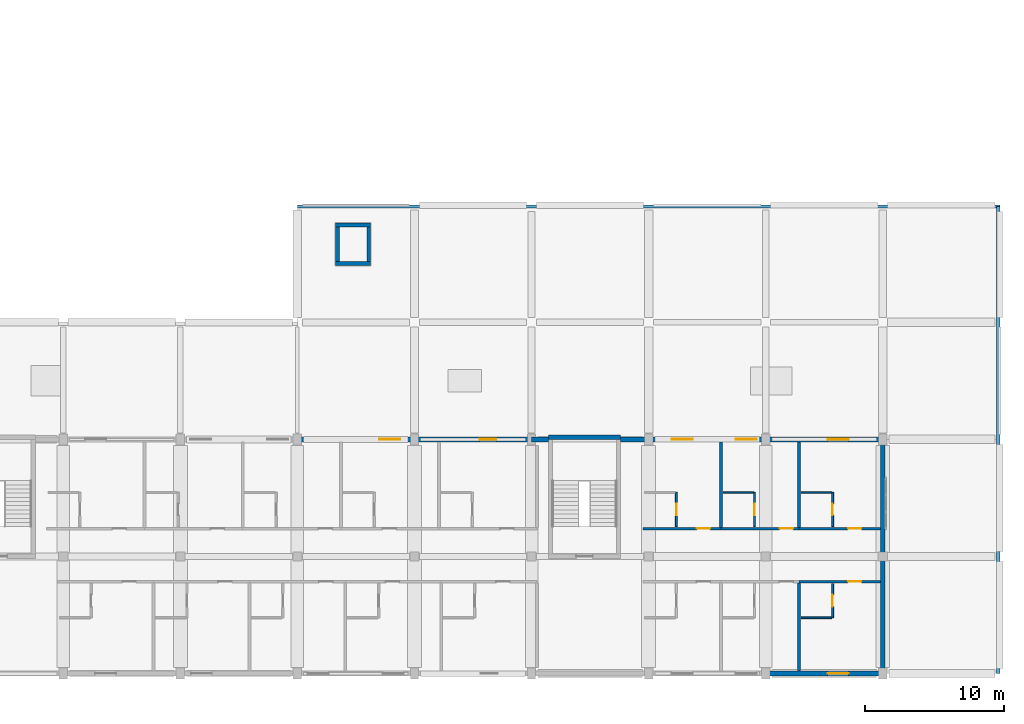
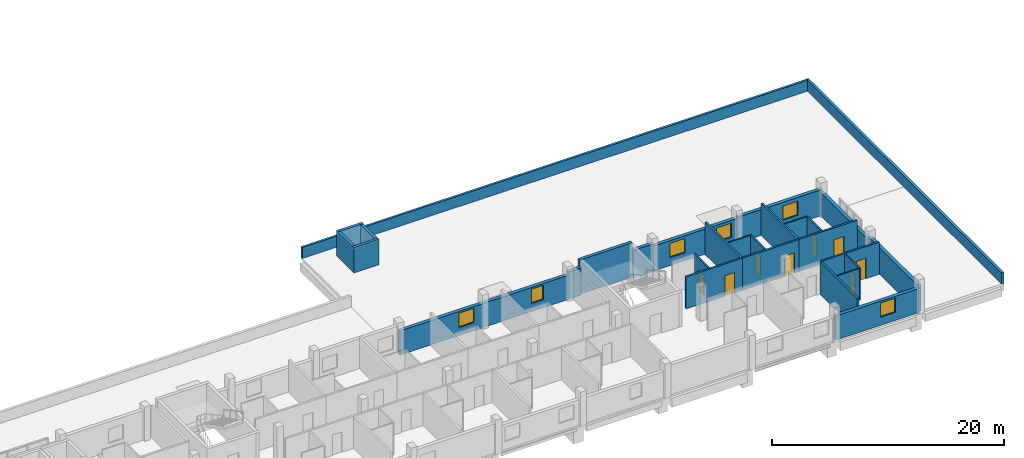
# One storey, part 38 of 42: 29 walls, 8 doors, 6 windows, 14 openings.
"""IFC4 building model written with IfcOpenShell, lengths in metres."""

from ifc_helpers import new_model, si_unit, derived_unit, direction, frame, frame_2d, origin, place, context, subcontext, project, spatial, rectangle, extrude, material, layer, layer_set, type_object, element, fill, save


model = new_model("IFC4")

# Units and contexts
model_context = context("Model", 3, precision=1e-05, world=origin(), true_north=direction((0.0, 1.0)))
body_context = subcontext(model_context, "Body", "Model", "MODEL_VIEW")
ifc_project = project(units=[si_unit("LENGTHUNIT", "METRE"), si_unit("AREAUNIT", "SQUARE_METRE"), si_unit("VOLUMEUNIT", "CUBIC_METRE"), si_unit("PLANEANGLEUNIT", "RADIAN"), si_unit("MASSUNIT", "GRAM", prefix="KILO"), derived_unit("THERMALTRANSMITTANCEUNIT", [(si_unit("POWERUNIT", "WATT"), 1), (si_unit("LENGTHUNIT", "METRE"), -2), (si_unit("THERMODYNAMICTEMPERATUREUNIT", "KELVIN"), -1)])], contexts=[model_context])

# Site, building, storey
site_placement = place(None, origin())
site = spatial("IfcSite", under=ifc_project, at=site_placement, CompositionType="ELEMENT")
building_placement = place(site_placement, origin())
building = spatial("IfcBuilding", under=site, at=building_placement, Name="Barrovel Congress Hotel", CompositionType="ELEMENT")
storey_placement = place(building_placement, frame((0.0, 0.0, 18.300048828125)))
storey = spatial("IfcBuildingStorey", under=building, at=storey_placement, Name="L04", CompositionType="ELEMENT", Elevation=18.300048828125)

# Wall
ifc_material_1 = material(Name="Fired Clay Brick Masonry", Category="masonry")
ifc_layer_1 = layer(ifc_material_1, 0.340087890625)
ifc_layer_set_1 = layer_set([ifc_layer_1], Name="Fired Clay Brick Masonry")
wall_type_1 = type_object("IfcWallType", Name="EW-BRK340", PredefinedType="STANDARD", material=ifc_layer_set_1)
wall_1_placement = place(storey_placement, frame((168.0, 12.60009765625, 0.0), z_axis=(0.0, 0.0, 1.0), x_axis=(0.0, 1.0, 0.0)))
element("IfcWall", 1, at=wall_1_placement, inside=storey, type_object=wall_type_1, Name="EW:L04:HS-E", PredefinedType="STANDARD", context=body_context, shape_type="SweptSolid", body=[
    extrude(rectangle(XDim=8.39990234375, YDim=0.340087890625, at=frame_2d((4.199951171875, 0.0))), origin(), (0.0, 0.0, 1.0), 2.429931640625),
])

# Wall, openings, windows
wall_2_placement = place(storey_placement, frame((159.60009765625, 21.0, 0.0), z_axis=(0.0, 0.0, 1.0), x_axis=(-1.0, 0.0, 0.0)))
wall_2 = element("IfcWall", 2, at=wall_2_placement, inside=storey, type_object=wall_type_1, Name="EW:L04:HS-NE-1", PredefinedType="STANDARD", context=body_context, shape_type="SweptSolid", body=[
    extrude(rectangle(XDim=8.400146484375, YDim=0.340087890625, at=frame_2d((4.2001953125, 0.0))), origin(), (0.0, 0.0, 1.0), 2.6298828125),
])
opening_1_placement = place(wall_2_placement, frame((5.25, 0.0, 0.85009765625)))
opening_1 = element("IfcOpeningElement", 3, at=opening_1_placement, cuts=wall_2, Name="Opening WN-07", PredefinedType="OPENING", context=body_context, shape_type="SweptSolid", body=[
    extrude(rectangle(XDim=1.5, YDim=1.5, at=frame_2d((0.75, 0.75))), frame((0.0, 0.18017578125, 0.0), z_axis=(0.0, -1.0, 0.0), x_axis=(1.0, 0.0, 0.0)), (0.0, 0.0, 1.0), 0.360107421875),
])
opening_2_placement = place(wall_2_placement, frame((0.64990234375, 0.0, 0.85009765625)))
opening_2 = element("IfcOpeningElement", 4, at=opening_2_placement, cuts=wall_2, Name="Opening WN-07", PredefinedType="OPENING", context=body_context, shape_type="SweptSolid", body=[
    extrude(rectangle(XDim=1.5, YDim=1.5, at=frame_2d((0.75, 0.75))), frame((0.0, 0.18017578125, 0.0), z_axis=(0.0, -1.0, 0.0), x_axis=(1.0, 0.0, 0.0)), (0.0, 0.0, 1.0), 0.360107421875),
])
ifc_material_2 = material(Name="Double Low-E Insulated Glazing", Category="glass")
window_type_1 = type_object("IfcWindowType", Name="WIN-WN-07", PartitioningType="SINGLE_PANEL", PredefinedType="WINDOW", material=ifc_material_2)
window_1_placement = place(opening_1_placement, origin())
window_1 = element("IfcWindow", 5, at=window_1_placement, inside=storey, type_object=window_type_1, Name="WIN:L04:U30", OverallHeight=1.5, OverallWidth=1.5, PartitioningType="SINGLE_PANEL", PredefinedType="WINDOW", context=body_context, shape_type="SweptSolid", body=[
    extrude(rectangle(XDim=1.5, YDim=1.5, at=frame_2d((0.75, 0.75))), frame((0.0, 0.030029296875, 0.0), z_axis=(0.0, -1.0, 0.0), x_axis=(1.0, 0.0, 0.0)), (0.0, 0.0, 1.0), 0.06005859375),
])
fill(opening_1, window_1)
window_2_placement = place(opening_2_placement, origin())
window_2 = element("IfcWindow", 6, at=window_2_placement, inside=storey, type_object=window_type_1, Name="WIN:L04:U31", OverallHeight=1.5, OverallWidth=1.5, PartitioningType="SINGLE_PANEL", PredefinedType="WINDOW", context=body_context, shape_type="SweptSolid", body=[
    extrude(rectangle(XDim=1.5, YDim=1.5, at=frame_2d((0.75, 0.75))), frame((0.0, 0.030029296875, 0.0), z_axis=(0.0, -1.0, 0.0), x_axis=(1.0, 0.0, 0.0)), (0.0, 0.0, 1.0), 0.06005859375),
])
fill(opening_2, window_2)

wall_3_placement = place(storey_placement, frame((142.800048828125, 21.0, 0.0), z_axis=(0.0, 0.0, 1.0), x_axis=(-1.0, 0.0, 0.0)))
wall_3 = element("IfcWall", 7, at=wall_3_placement, inside=storey, type_object=wall_type_1, Name="EW:L04:HS-NE-2", PredefinedType="STANDARD", context=body_context, shape_type="SweptSolid", body=[
    extrude(rectangle(XDim=16.800048828125, YDim=0.340087890625, at=frame_2d((8.39990234375, 0.0))), origin(), (0.0, 0.0, 1.0), 2.530029296875),
])
opening_3_placement = place(wall_3_placement, frame((9.409912109375, 0.0, 0.85009765625)))
opening_3 = element("IfcOpeningElement", 8, at=opening_3_placement, cuts=wall_3, Name="Opening WN-07", PredefinedType="OPENING", context=body_context, shape_type="SweptSolid", body=[
    extrude(rectangle(XDim=1.5, YDim=1.5, at=frame_2d((0.75, 0.75))), frame((0.0, 0.18017578125, 0.0), z_axis=(0.0, -1.0, 0.0), x_axis=(1.0, 0.0, 0.0)), (0.0, 0.0, 1.0), 0.360107421875),
])
opening_4_placement = place(wall_3_placement, frame((2.52001953125, 0.0, 0.85009765625)))
opening_4 = element("IfcOpeningElement", 9, at=opening_4_placement, cuts=wall_3, Name="Opening WN-06", PredefinedType="OPENING", context=body_context, shape_type="SweptSolid", body=[
    extrude(rectangle(XDim=1.199951171875, YDim=1.5, at=frame_2d((0.60009765625, 0.75))), frame((0.0, 0.18017578125, 0.0), z_axis=(0.0, -1.0, 0.0), x_axis=(1.0, 0.0, 0.0)), (0.0, 0.0, 1.0), 0.360107421875),
])
window_type_2 = type_object("IfcWindowType", Name="WIN-WN-06", PartitioningType="SINGLE_PANEL", PredefinedType="WINDOW", material=ifc_material_2)
window_3_placement = place(opening_4_placement, origin())
window_3 = element("IfcWindow", 10, at=window_3_placement, inside=storey, type_object=window_type_2, Name="WIN:L04:U29", OverallHeight=1.5, OverallWidth=1.199951171875, PartitioningType="SINGLE_PANEL", PredefinedType="WINDOW", context=body_context, shape_type="SweptSolid", body=[
    extrude(rectangle(XDim=1.199951171875, YDim=1.5, at=frame_2d((0.60009765625, 0.75))), frame((0.0, 0.030029296875, 0.0), z_axis=(0.0, -1.0, 0.0), x_axis=(1.0, 0.0, 0.0)), (0.0, 0.0, 1.0), 0.06005859375),
])
fill(opening_4, window_3)
window_4_placement = place(opening_3_placement, origin())
window_4 = element("IfcWindow", 11, at=window_4_placement, inside=storey, type_object=window_type_1, Name="WIN:L04:U28", OverallHeight=1.5, OverallWidth=1.5, PartitioningType="SINGLE_PANEL", PredefinedType="WINDOW", context=body_context, shape_type="SweptSolid", body=[
    extrude(rectangle(XDim=1.5, YDim=1.5, at=frame_2d((0.75, 0.75))), frame((0.0, 0.030029296875, 0.0), z_axis=(0.0, -1.0, 0.0), x_axis=(1.0, 0.0, 0.0)), (0.0, 0.0, 1.0), 0.06005859375),
])
fill(opening_3, window_4)

# Wall, opening, window
wall_4_placement = place(storey_placement, frame((159.60009765625, 4.199951171875, 0.0), z_axis=(0.0, 0.0, 1.0), x_axis=(1.0, 0.0, 0.0)))
wall_4 = element("IfcWall", 12, at=wall_4_placement, inside=storey, type_object=wall_type_1, Name="EW:L04:HS-S:P15", PredefinedType="STANDARD", context=body_context, shape_type="SweptSolid", body=[
    extrude(rectangle(XDim=8.39990234375, YDim=0.340087890625, at=frame_2d((4.199951171875, 0.0))), origin(), (0.0, 0.0, 1.0), 2.530029296875),
])
opening_5_placement = place(wall_4_placement, frame((4.449951171875, 0.0, 0.85009765625)))
opening_5 = element("IfcOpeningElement", 13, at=opening_5_placement, cuts=wall_4, Name="Opening WN-07", PredefinedType="OPENING", context=body_context, shape_type="SweptSolid", body=[
    extrude(rectangle(XDim=1.5, YDim=1.5, at=frame_2d((0.75, 0.75))), frame((0.0, 0.18017578125, 0.0), z_axis=(0.0, -1.0, 0.0), x_axis=(1.0, 0.0, 0.0)), (0.0, 0.0, 1.0), 0.360107421875),
])
window_5_placement = place(opening_5_placement, origin())
window_5 = element("IfcWindow", 14, at=window_5_placement, inside=storey, type_object=window_type_1, Name="WIN:L04:U20", OverallHeight=1.5, OverallWidth=1.5, PartitioningType="SINGLE_PANEL", PredefinedType="WINDOW", context=body_context, shape_type="SweptSolid", body=[
    extrude(rectangle(XDim=1.5, YDim=1.5, at=frame_2d((0.75, 0.75))), frame((0.0, 0.030029296875, 0.0), z_axis=(0.0, -1.0, 0.0), x_axis=(1.0, 0.0, 0.0)), (0.0, 0.0, 1.0), 0.06005859375),
])
fill(opening_5, window_5)

# Wall
wall_5_placement = place(storey_placement, frame((168.0, 4.199951171875, 0.0), z_axis=(0.0, 0.0, 1.0), x_axis=(0.0, 1.0, 0.0)))
element("IfcWall", 15, at=wall_5_placement, inside=storey, type_object=wall_type_1, Name="EW:L04:HS-E:P01", PredefinedType="STANDARD", context=body_context, shape_type="SweptSolid", body=[
    extrude(rectangle(XDim=8.400146484375, YDim=0.340087890625, at=frame_2d((4.2001953125, 0.0))), origin(), (0.0, 0.0, 1.0), 2.780029296875),
])

# Wall, opening, window
wall_6_placement = place(storey_placement, frame((168.0, 21.0, 0.0), z_axis=(0.0, 0.0, 1.0), x_axis=(-1.0, 0.0, 0.0)))
wall_6 = element("IfcWall", 16, at=wall_6_placement, inside=storey, type_object=wall_type_1, Name="EW:L04:HS-NE-1:P01", PredefinedType="STANDARD", context=body_context, shape_type="SweptSolid", body=[
    extrude(rectangle(XDim=8.39990234375, YDim=0.340087890625, at=frame_2d((4.199951171875, 0.0))), origin(), (0.0, 0.0, 1.0), 2.72998046875),
])
opening_6_placement = place(wall_6_placement, frame((2.449951171875, 0.0, 0.85009765625)))
opening_6 = element("IfcOpeningElement", 17, at=opening_6_placement, cuts=wall_6, Name="Opening WN-07", PredefinedType="OPENING", context=body_context, shape_type="SweptSolid", body=[
    extrude(rectangle(XDim=1.5, YDim=1.5, at=frame_2d((0.75, 0.75))), frame((0.0, 0.18017578125, 0.0), z_axis=(0.0, -1.0, 0.0), x_axis=(1.0, 0.0, 0.0)), (0.0, 0.0, 1.0), 0.360107421875),
])
window_6_placement = place(opening_6_placement, origin())
window_6 = element("IfcWindow", 18, at=window_6_placement, inside=storey, type_object=window_type_1, Name="WIN:L04:U32", OverallHeight=1.5, OverallWidth=1.5, PartitioningType="SINGLE_PANEL", PredefinedType="WINDOW", context=body_context, shape_type="SweptSolid", body=[
    extrude(rectangle(XDim=1.5, YDim=1.5, at=frame_2d((0.75, 0.75))), frame((0.0, 0.030029296875, 0.0), z_axis=(0.0, -1.0, 0.0), x_axis=(1.0, 0.0, 0.0)), (0.0, 0.0, 1.0), 0.06005859375),
])
fill(opening_6, window_6)

# Walls
wall_7_placement = place(storey_placement, frame((151.199951171875, 21.0, 0.0), z_axis=(0.0, 0.0, 1.0), x_axis=(-1.0, 0.0, 0.0)))
element("IfcWall", 19, at=wall_7_placement, inside=storey, type_object=wall_type_1, Name="EW:L04:HS-NE-1:P03", PredefinedType="STANDARD", context=body_context, shape_type="SweptSolid", body=[
    extrude(rectangle(XDim=2.0, YDim=0.340087890625, at=frame_2d((1.0, 0.0))), origin(), (0.0, 0.0, 1.0), 2.8798828125),
])
wall_8_placement = place(storey_placement, frame((144.0, 21.0, 0.0), z_axis=(0.0, 0.0, 1.0), x_axis=(-1.0, 0.0, 0.0)))
element("IfcWall", 20, at=wall_8_placement, inside=storey, type_object=wall_type_1, Name="EW:L04:HS-NE-2:P01", PredefinedType="STANDARD", context=body_context, shape_type="SweptSolid", body=[
    extrude(rectangle(XDim=1.199951171875, YDim=0.340087890625, at=frame_2d((0.60009765625, 0.0))), origin(), (0.0, 0.0, 1.0), 2.8798828125),
])
ifc_layer_2 = layer(ifc_material_1, 0.219970703125)
ifc_layer_set_2 = layer_set([ifc_layer_2], Name="Fired Clay Brick Masonry")
wall_type_2 = type_object("IfcWallType", Name="EW-PAR220", PredefinedType="PARAPET", material=ifc_layer_set_2)
wall_9_placement = place(storey_placement, frame((126.0, 37.699951171875, 0.0), z_axis=(0.0, 0.0, 1.0), x_axis=(1.0, 0.0, 0.0)))
element("IfcWall", 21, at=wall_9_placement, inside=storey, type_object=wall_type_2, Name="PAR:L04:07", PredefinedType="PARAPET", context=body_context, shape_type="SweptSolid", body=[
    extrude(rectangle(XDim=50.39990234375, YDim=0.219970703125, at=frame_2d((25.199951171875, 0.0))), origin(), (0.0, 0.0, 1.0), 1.14990234375),
])
ifc_layer_3 = layer(ifc_material_1, 0.260009765625)
ifc_layer_set_3 = layer_set([ifc_layer_3], Name="Fired Clay Brick Masonry")
wall_type_3 = type_object("IfcWallType", Name="EW-PAR260", PredefinedType="PARAPET", material=ifc_layer_set_3)
wall_10_placement = place(storey_placement, frame((176.300048828125, 4.199951171875, 0.0), z_axis=(0.0, 0.0, 1.0), x_axis=(0.0, 1.0, 0.0)))
element("IfcWall", 22, at=wall_10_placement, inside=storey, type_object=wall_type_3, Name="PAR:L04:08", PredefinedType="PARAPET", context=body_context, shape_type="SweptSolid", body=[
    extrude(rectangle(XDim=33.5, YDim=0.260009765625, at=frame_2d((16.75, 0.0))), origin(), (0.0, 0.0, 1.0), 1.14990234375),
])

# Wall, opening, door
ifc_material_3 = material(Name="Gypsum Acoustic Stud", Category="gypsum")
ifc_layer_4 = layer(ifc_material_3, 0.179931640625)
ifc_layer_set_4 = layer_set([ifc_layer_4], Name="Gypsum Acoustic Stud")
wall_type_4 = type_object("IfcWallType", Name="PW-ACU-180", PredefinedType="PARTITIONING", material=ifc_layer_set_4)
wall_11_placement = place(storey_placement, frame((162.0, 10.800048828125, 0.0), z_axis=(0.0, 0.0, 1.0), x_axis=(1.0, 0.0, 0.0)))
wall_11 = element("IfcWall", 23, at=wall_11_placement, inside=storey, type_object=wall_type_4, Name="PW:L04:U20:COR", PredefinedType="PARTITIONING", context=body_context, shape_type="SweptSolid", body=[
    extrude(rectangle(XDim=5.830078125, YDim=0.179931640625, at=frame_2d((2.9150390625, 0.0))), origin(), (0.0, 0.0, 1.0), 3.375),
])
opening_7_placement = place(wall_11_placement, frame((3.509033203125, 0.0, 0.0)))
opening_7 = element("IfcOpeningElement", 24, at=opening_7_placement, cuts=wall_11, Name="Opening ID-HTL", PredefinedType="OPENING", context=body_context, shape_type="SweptSolid", body=[
    extrude(rectangle(XDim=0.9599609375, YDim=2.14990234375, at=frame_2d((0.47998046875, 1.074951171875))), frame((0.0, 0.10009765625, 0.0), z_axis=(0.0, -1.0, 0.0), x_axis=(1.0, 0.0, 0.0)), (0.0, 0.0, 1.0), 0.199951171875),
])
ifc_material_4 = material(Name="Solid Oak Acoustic Timber Door", Category="wood")
door_type_1 = type_object("IfcDoorType", Name="IDR-ID-HTL", OperationType="NOTDEFINED", PredefinedType="DOOR", material=ifc_material_4)
door_1_placement = place(opening_7_placement, origin())
door_1 = element("IfcDoor", 25, at=door_1_placement, inside=storey, type_object=door_type_1, Name="DR:L04:U20:ENT", OperationType="SINGLE_SWING_RIGHT", OverallHeight=2.14990234375, OverallWidth=0.9599609375, PredefinedType="DOOR", context=body_context, shape_type="SweptSolid", body=[
    extrude(rectangle(XDim=0.9599609375, YDim=2.14990234375, at=frame_2d((0.47998046875, 1.074951171875))), frame((0.0, 0.02490234375, 0.0), z_axis=(0.0, -1.0, 0.0), x_axis=(1.0, 0.0, 0.0)), (0.0, 0.0, 1.0), 0.050048828125),
])
fill(opening_7, door_1)

wall_12_placement = place(storey_placement, frame((150.800048828125, 14.60009765625, 0.0), z_axis=(0.0, 0.0, 1.0), x_axis=(1.0, 0.0, 0.0)))
wall_12 = element("IfcWall", 26, at=wall_12_placement, inside=storey, type_object=wall_type_4, Name="PW:L04:U30:COR", PredefinedType="PARTITIONING", context=body_context, shape_type="SweptSolid", body=[
    extrude(rectangle(XDim=5.599853515625, YDim=0.179931640625, at=frame_2d((2.7998046875, 0.0))), origin(), (0.0, 0.0, 1.0), 3.375),
])
opening_8_placement = place(wall_12_placement, frame((3.85888671875, 0.0, 0.0)))
opening_8 = element("IfcOpeningElement", 27, at=opening_8_placement, cuts=wall_12, Name="Opening ID-HTL", PredefinedType="OPENING", context=body_context, shape_type="SweptSolid", body=[
    extrude(rectangle(XDim=0.9599609375, YDim=2.14990234375, at=frame_2d((0.47998046875, 1.074951171875))), frame((0.0, 0.10009765625, 0.0), z_axis=(0.0, -1.0, 0.0), x_axis=(1.0, 0.0, 0.0)), (0.0, 0.0, 1.0), 0.199951171875),
])
door_2_placement = place(opening_8_placement, origin())
door_2 = element("IfcDoor", 28, at=door_2_placement, inside=storey, type_object=door_type_1, Name="DR:L04:U30:ENT", OperationType="SINGLE_SWING_RIGHT", OverallHeight=2.14990234375, OverallWidth=0.9599609375, PredefinedType="DOOR", context=body_context, shape_type="SweptSolid", body=[
    extrude(rectangle(XDim=0.9599609375, YDim=2.14990234375, at=frame_2d((0.47998046875, 1.074951171875))), frame((0.0, 0.02490234375, 0.0), z_axis=(0.0, -1.0, 0.0), x_axis=(1.0, 0.0, 0.0)), (0.0, 0.0, 1.0), 0.050048828125),
])
fill(opening_8, door_2)

wall_13_placement = place(storey_placement, frame((156.39990234375, 14.60009765625, 0.0), z_axis=(0.0, 0.0, 1.0), x_axis=(1.0, 0.0, 0.0)))
wall_13 = element("IfcWall", 29, at=wall_13_placement, inside=storey, type_object=wall_type_4, Name="PW:L04:U31:COR", PredefinedType="PARTITIONING", context=body_context, shape_type="SweptSolid", body=[
    extrude(rectangle(XDim=5.60009765625, YDim=0.179931640625, at=frame_2d((2.800048828125, 0.0))), origin(), (0.0, 0.0, 1.0), 3.375),
])
opening_9_placement = place(wall_13_placement, frame((4.208984375, 0.0, 0.0)))
opening_9 = element("IfcOpeningElement", 30, at=opening_9_placement, cuts=wall_13, Name="Opening ID-HTL", PredefinedType="OPENING", context=body_context, shape_type="SweptSolid", body=[
    extrude(rectangle(XDim=0.9599609375, YDim=2.14990234375, at=frame_2d((0.47998046875, 1.074951171875))), frame((0.0, 0.10009765625, 0.0), z_axis=(0.0, -1.0, 0.0), x_axis=(1.0, 0.0, 0.0)), (0.0, 0.0, 1.0), 0.199951171875),
])
door_3_placement = place(opening_9_placement, origin())
door_3 = element("IfcDoor", 31, at=door_3_placement, inside=storey, type_object=door_type_1, Name="DR:L04:U31:ENT", OperationType="SINGLE_SWING_RIGHT", OverallHeight=2.14990234375, OverallWidth=0.9599609375, PredefinedType="DOOR", context=body_context, shape_type="SweptSolid", body=[
    extrude(rectangle(XDim=0.9599609375, YDim=2.14990234375, at=frame_2d((0.47998046875, 1.074951171875))), frame((0.0, 0.02490234375, 0.0), z_axis=(0.0, -1.0, 0.0), x_axis=(1.0, 0.0, 0.0)), (0.0, 0.0, 1.0), 0.050048828125),
])
fill(opening_9, door_3)

wall_14_placement = place(storey_placement, frame((162.0, 14.60009765625, 0.0), z_axis=(0.0, 0.0, 1.0), x_axis=(1.0, 0.0, 0.0)))
wall_14 = element("IfcWall", 32, at=wall_14_placement, inside=storey, type_object=wall_type_4, Name="PW:L04:U32:COR", PredefinedType="PARTITIONING", context=body_context, shape_type="SweptSolid", body=[
    extrude(rectangle(XDim=5.830078125, YDim=0.179931640625, at=frame_2d((2.9150390625, 0.0))), origin(), (0.0, 0.0, 1.0), 3.375),
])
opening_10_placement = place(wall_14_placement, frame((3.509033203125, 0.0, 0.0)))
opening_10 = element("IfcOpeningElement", 33, at=opening_10_placement, cuts=wall_14, Name="Opening ID-HTL", PredefinedType="OPENING", context=body_context, shape_type="SweptSolid", body=[
    extrude(rectangle(XDim=0.9599609375, YDim=2.14990234375, at=frame_2d((0.47998046875, 1.074951171875))), frame((0.0, 0.10009765625, 0.0), z_axis=(0.0, -1.0, 0.0), x_axis=(1.0, 0.0, 0.0)), (0.0, 0.0, 1.0), 0.199951171875),
])
door_4_placement = place(opening_10_placement, origin())
door_4 = element("IfcDoor", 34, at=door_4_placement, inside=storey, type_object=door_type_1, Name="DR:L04:U32:ENT", OperationType="SINGLE_SWING_RIGHT", OverallHeight=2.14990234375, OverallWidth=0.9599609375, PredefinedType="DOOR", context=body_context, shape_type="SweptSolid", body=[
    extrude(rectangle(XDim=0.9599609375, YDim=2.14990234375, at=frame_2d((0.47998046875, 1.074951171875))), frame((0.0, 0.02490234375, 0.0), z_axis=(0.0, -1.0, 0.0), x_axis=(1.0, 0.0, 0.0)), (0.0, 0.0, 1.0), 0.050048828125),
])
fill(opening_10, door_4)

# Walls
ifc_layer_5 = layer(ifc_material_3, 0.1201171875)
ifc_layer_set_5 = layer_set([ifc_layer_5], Name="Gypsum Acoustic Stud")
wall_type_5 = type_object("IfcWallType", Name="PW-INT-120", PredefinedType="PARTITIONING", material=ifc_layer_set_5)
wall_15_placement = place(storey_placement, frame((162.139892578125, 8.199951171875, 0.0), z_axis=(0.0, 0.0, 1.0), x_axis=(1.0, 0.0, 0.0)))
element("IfcWall", 35, at=wall_15_placement, inside=storey, type_object=wall_type_5, Name="PW:L04:U20:B2", PredefinedType="PARTITIONING", context=body_context, shape_type="SweptSolid", body=[
    extrude(rectangle(XDim=2.190185546875, YDim=0.1201171875, at=frame_2d((1.09521484375, 0.0))), origin(), (0.0, 0.0, 1.0), 3.375),
])
wall_16_placement = place(storey_placement, frame((156.5400390625, 17.199951171875, 0.0), z_axis=(0.0, 0.0, 1.0), x_axis=(1.0, 0.0, 0.0)))
element("IfcWall", 36, at=wall_16_placement, inside=storey, type_object=wall_type_5, Name="PW:L04:U31:B2", PredefinedType="PARTITIONING", context=body_context, shape_type="SweptSolid", body=[
    extrude(rectangle(XDim=2.18994140625, YDim=0.1201171875, at=frame_2d((1.094970703125, 0.0))), origin(), (0.0, 0.0, 1.0), 3.375),
])
wall_17_placement = place(storey_placement, frame((162.139892578125, 17.199951171875, 0.0), z_axis=(0.0, 0.0, 1.0), x_axis=(1.0, 0.0, 0.0)))
element("IfcWall", 37, at=wall_17_placement, inside=storey, type_object=wall_type_5, Name="PW:L04:U32:B2", PredefinedType="PARTITIONING", context=body_context, shape_type="SweptSolid", body=[
    extrude(rectangle(XDim=2.190185546875, YDim=0.1201171875, at=frame_2d((1.09521484375, 0.0))), origin(), (0.0, 0.0, 1.0), 3.375),
])
ifc_layer_6 = layer(ifc_material_1, 0.199951171875)
ifc_layer_set_6 = layer_set([ifc_layer_6], Name="Fired Clay Brick Masonry")
wall_type_6 = type_object("IfcWallType", Name="PW-MAS-200", PredefinedType="PARTITIONING", material=ifc_layer_set_6)
wall_18_placement = place(storey_placement, frame((162.0, 4.3701171875, 0.0), z_axis=(0.0, 0.0, 1.0), x_axis=(0.0, 1.0, 0.0)))
element("IfcWall", 38, at=wall_18_placement, inside=storey, type_object=wall_type_6, Name="PW:L04:U19:DEM", PredefinedType="PARTITIONING", context=body_context, shape_type="SweptSolid", body=[
    extrude(rectangle(XDim=6.33984375, YDim=0.199951171875, at=frame_2d((3.169921875, 0.0))), origin(), (0.0, 0.0, 1.0), 3.375),
])
for number, where, z_axis, x_axis, name in (
    (39, (156.39990234375, 14.68994140625, 0.0), (0.0, 0.0, 1.0), (0.0, 1.0, 0.0), "PW:L04:U30:DEM"),
    (40, (162.0, 14.68994140625, 0.0), (0.0, 0.0, 1.0), (0.0, 1.0, 0.0), "PW:L04:U31:DEM"),
):
    element("IfcWall", number, at=place(storey_placement, frame(where, z_axis=z_axis, x_axis=x_axis)), inside=storey, type_object=wall_type_6, Name=name, PredefinedType="PARTITIONING", context=body_context, shape_type="SweptSolid", body=[
        extrude(rectangle(XDim=6.14013671875, YDim=0.199951171875, at=frame_2d((3.070068359375, 0.0))), origin(), (0.0, 0.0, 1.0), 3.375),
    ])

# Wall, opening, door
ifc_material_5 = material(Name="Gypsum Moisture Board", Category="gypsum")
ifc_layer_7 = layer(ifc_material_5, 0.139892578125)
ifc_layer_set_7 = layer_set([ifc_layer_7], Name="Gypsum Moisture Board")
wall_type_7 = type_object("IfcWallType", Name="PW-WET-140", PredefinedType="PARTITIONING", material=ifc_layer_set_7)
wall_19_placement = place(storey_placement, frame((164.39990234375, 8.199951171875, 0.0), z_axis=(0.0, 0.0, 1.0), x_axis=(0.0, 1.0, 0.0)))
wall_19 = element("IfcWall", 41, at=wall_19_placement, inside=storey, type_object=wall_type_7, Name="PW:L04:U20:B1", PredefinedType="PARTITIONING", context=body_context, shape_type="SweptSolid", body=[
    extrude(rectangle(XDim=2.4599609375, YDim=0.139892578125, at=frame_2d((1.22998046875, 0.0))), origin(), (0.0, 0.0, 1.0), 3.375),
])
opening_11_placement = place(wall_19_placement, frame((0.800048828125, 0.0, 0.0)))
opening_11 = element("IfcOpeningElement", 42, at=opening_11_placement, cuts=wall_19, Name="Opening ID-ENS", PredefinedType="OPENING", context=body_context, shape_type="SweptSolid", body=[
    extrude(rectangle(XDim=0.860107421875, YDim=2.10009765625, at=frame_2d((0.43017578125, 1.050048828125))), frame((0.0, 0.080078125, 0.0), z_axis=(0.0, -1.0, 0.0), x_axis=(1.0, 0.0, 0.0)), (0.0, 0.0, 1.0), 0.159912109375),
])
ifc_material_6 = material(Name="Lacquered Timber Moisture Door", Category="wood")
door_type_2 = type_object("IfcDoorType", Name="IDR-ID-ENS", OperationType="NOTDEFINED", PredefinedType="DOOR", material=ifc_material_6)
door_5_placement = place(opening_11_placement, origin())
door_5 = element("IfcDoor", 43, at=door_5_placement, inside=storey, type_object=door_type_2, Name="DR:L04:U20:ENS", OperationType="SINGLE_SWING_LEFT", OverallHeight=2.10009765625, OverallWidth=0.860107421875, PredefinedType="DOOR", context=body_context, shape_type="SweptSolid", body=[
    extrude(rectangle(XDim=0.860107421875, YDim=2.10009765625, at=frame_2d((0.43017578125, 1.050048828125))), frame((0.0, 0.02490234375, 0.0), z_axis=(0.0, -1.0, 0.0), x_axis=(1.0, 0.0, 0.0)), (0.0, 0.0, 1.0), 0.050048828125),
])
fill(opening_11, door_5)

wall_20_placement = place(storey_placement, frame((153.199951171875, 14.739990234375, 0.0), z_axis=(0.0, 0.0, 1.0), x_axis=(0.0, 1.0, 0.0)))
wall_20 = element("IfcWall", 44, at=wall_20_placement, inside=storey, type_object=wall_type_7, Name="PW:L04:U30:B1", PredefinedType="PARTITIONING", context=body_context, shape_type="SweptSolid", body=[
    extrude(rectangle(XDim=2.4599609375, YDim=0.139892578125, at=frame_2d((1.22998046875, 0.0))), origin(), (0.0, 0.0, 1.0), 3.375),
])
opening_12_placement = place(wall_20_placement, frame((0.800048828125, 0.0, 0.0)))
opening_12 = element("IfcOpeningElement", 45, at=opening_12_placement, cuts=wall_20, Name="Opening ID-ENS", PredefinedType="OPENING", context=body_context, shape_type="SweptSolid", body=[
    extrude(rectangle(XDim=0.860107421875, YDim=2.10009765625, at=frame_2d((0.43017578125, 1.050048828125))), frame((0.0, 0.080078125, 0.0), z_axis=(0.0, -1.0, 0.0), x_axis=(1.0, 0.0, 0.0)), (0.0, 0.0, 1.0), 0.159912109375),
])
door_6_placement = place(opening_12_placement, origin())
door_6 = element("IfcDoor", 46, at=door_6_placement, inside=storey, type_object=door_type_2, Name="DR:L04:U30:ENS", OperationType="SINGLE_SWING_LEFT", OverallHeight=2.10009765625, OverallWidth=0.860107421875, PredefinedType="DOOR", context=body_context, shape_type="SweptSolid", body=[
    extrude(rectangle(XDim=0.860107421875, YDim=2.10009765625, at=frame_2d((0.43017578125, 1.050048828125))), frame((0.0, 0.02490234375, 0.0), z_axis=(0.0, -1.0, 0.0), x_axis=(1.0, 0.0, 0.0)), (0.0, 0.0, 1.0), 0.050048828125),
])
fill(opening_12, door_6)

wall_21_placement = place(storey_placement, frame((158.800048828125, 14.739990234375, 0.0), z_axis=(0.0, 0.0, 1.0), x_axis=(0.0, 1.0, 0.0)))
wall_21 = element("IfcWall", 47, at=wall_21_placement, inside=storey, type_object=wall_type_7, Name="PW:L04:U31:B1", PredefinedType="PARTITIONING", context=body_context, shape_type="SweptSolid", body=[
    extrude(rectangle(XDim=2.4599609375, YDim=0.139892578125, at=frame_2d((1.22998046875, 0.0))), origin(), (0.0, 0.0, 1.0), 3.375),
])
opening_13_placement = place(wall_21_placement, frame((0.800048828125, 0.0, 0.0)))
opening_13 = element("IfcOpeningElement", 48, at=opening_13_placement, cuts=wall_21, Name="Opening ID-ENS", PredefinedType="OPENING", context=body_context, shape_type="SweptSolid", body=[
    extrude(rectangle(XDim=0.860107421875, YDim=2.10009765625, at=frame_2d((0.43017578125, 1.050048828125))), frame((0.0, 0.080078125, 0.0), z_axis=(0.0, -1.0, 0.0), x_axis=(1.0, 0.0, 0.0)), (0.0, 0.0, 1.0), 0.159912109375),
])
door_7_placement = place(opening_13_placement, origin())
door_7 = element("IfcDoor", 49, at=door_7_placement, inside=storey, type_object=door_type_2, Name="DR:L04:U31:ENS", OperationType="SINGLE_SWING_LEFT", OverallHeight=2.10009765625, OverallWidth=0.860107421875, PredefinedType="DOOR", context=body_context, shape_type="SweptSolid", body=[
    extrude(rectangle(XDim=0.860107421875, YDim=2.10009765625, at=frame_2d((0.43017578125, 1.050048828125))), frame((0.0, 0.02490234375, 0.0), z_axis=(0.0, -1.0, 0.0), x_axis=(1.0, 0.0, 0.0)), (0.0, 0.0, 1.0), 0.050048828125),
])
fill(opening_13, door_7)

wall_22_placement = place(storey_placement, frame((164.39990234375, 14.739990234375, 0.0), z_axis=(0.0, 0.0, 1.0), x_axis=(0.0, 1.0, 0.0)))
wall_22 = element("IfcWall", 50, at=wall_22_placement, inside=storey, type_object=wall_type_7, Name="PW:L04:U32:B1", PredefinedType="PARTITIONING", context=body_context, shape_type="SweptSolid", body=[
    extrude(rectangle(XDim=2.4599609375, YDim=0.139892578125, at=frame_2d((1.22998046875, 0.0))), origin(), (0.0, 0.0, 1.0), 3.375),
])
opening_14_placement = place(wall_22_placement, frame((0.800048828125, 0.0, 0.0)))
opening_14 = element("IfcOpeningElement", 51, at=opening_14_placement, cuts=wall_22, Name="Opening ID-ENS", PredefinedType="OPENING", context=body_context, shape_type="SweptSolid", body=[
    extrude(rectangle(XDim=0.860107421875, YDim=2.10009765625, at=frame_2d((0.43017578125, 1.050048828125))), frame((0.0, 0.080078125, 0.0), z_axis=(0.0, -1.0, 0.0), x_axis=(1.0, 0.0, 0.0)), (0.0, 0.0, 1.0), 0.159912109375),
])
door_8_placement = place(opening_14_placement, origin())
door_8 = element("IfcDoor", 52, at=door_8_placement, inside=storey, type_object=door_type_2, Name="DR:L04:U32:ENS", OperationType="SINGLE_SWING_LEFT", OverallHeight=2.10009765625, OverallWidth=0.860107421875, PredefinedType="DOOR", context=body_context, shape_type="SweptSolid", body=[
    extrude(rectangle(XDim=0.860107421875, YDim=2.10009765625, at=frame_2d((0.43017578125, 1.050048828125))), frame((0.0, 0.02490234375, 0.0), z_axis=(0.0, -1.0, 0.0), x_axis=(1.0, 0.0, 0.0)), (0.0, 0.0, 1.0), 0.050048828125),
])
fill(opening_14, door_8)

# Walls
ifc_material_7 = material(Name="Concrete C40", Category="concrete")
ifc_layer_8 = layer(ifc_material_7, 0.280029296875)
ifc_layer_set_8 = layer_set([ifc_layer_8], Name="Concrete C40")
wall_type_8 = type_object("IfcWallType", Name="SW-C40-280", PredefinedType="SHEAR", material=ifc_layer_set_8)
wall_23_placement = place(storey_placement, frame((128.739990234375, 33.6298828125, 0.0), z_axis=(0.0, 0.0, 1.0), x_axis=(1.0, 0.0, 0.0)))
element("IfcWall", 53, at=wall_23_placement, inside=storey, type_object=wall_type_8, Name="LSH:CL-2:OVR:S", PredefinedType="SHEAR", context=body_context, shape_type="SweptSolid", body=[
    extrude(rectangle(XDim=2.52001953125, YDim=0.280029296875, at=frame_2d((1.260009765625, 0.0))), origin(), (0.0, 0.0, 1.0), 2.64990234375),
])
wall_24_placement = place(storey_placement, frame((131.1201171875, 33.489990234375, 0.0), z_axis=(0.0, 0.0, 1.0), x_axis=(0.0, 1.0, 0.0)))
element("IfcWall", 54, at=wall_24_placement, inside=storey, type_object=wall_type_8, Name="LSH:CL-2:OVR:E", PredefinedType="SHEAR", context=body_context, shape_type="SweptSolid", body=[
    extrude(rectangle(XDim=3.02001953125, YDim=0.280029296875, at=frame_2d((1.510009765625, 0.0))), origin(), (0.0, 0.0, 1.0), 2.64990234375),
])
wall_25_placement = place(storey_placement, frame((131.260009765625, 36.3701171875, 0.0), z_axis=(0.0, 0.0, 1.0), x_axis=(-1.0, 0.0, 0.0)))
element("IfcWall", 55, at=wall_25_placement, inside=storey, type_object=wall_type_8, Name="LSH:CL-2:OVR:N", PredefinedType="SHEAR", context=body_context, shape_type="SweptSolid", body=[
    extrude(rectangle(XDim=2.52001953125, YDim=0.280029296875, at=frame_2d((1.260009765625, 0.0))), origin(), (0.0, 0.0, 1.0), 2.64990234375),
])
wall_26_placement = place(storey_placement, frame((128.8798828125, 36.510009765625, 0.0), z_axis=(0.0, 0.0, 1.0), x_axis=(0.0, -1.0, 0.0)))
element("IfcWall", 56, at=wall_26_placement, inside=storey, type_object=wall_type_8, Name="LSH:CL-2:OVR:W", PredefinedType="SHEAR", context=body_context, shape_type="SweptSolid", body=[
    extrude(rectangle(XDim=3.02001953125, YDim=0.280029296875, at=frame_2d((1.510009765625, 0.0))), origin(), (0.0, 0.0, 1.0), 2.64990234375),
])
ifc_layer_9 = layer(ifc_material_7, 0.300048828125)
ifc_layer_set_9 = layer_set([ifc_layer_9], Name="Concrete C40")
wall_type_9 = type_object("IfcWallType", Name="SW-C40-300", PredefinedType="SHEAR", material=ifc_layer_set_9)
wall_27_placement = place(storey_placement, frame((149.199951171875, 21.14990234375, 0.0), z_axis=(0.0, 0.0, 1.0), x_axis=(-1.0, 0.0, 0.0)))
element("IfcWall", 57, at=wall_27_placement, inside=storey, type_object=wall_type_9, Name="SHW:XS-04:L04:N", PredefinedType="SHEAR", context=body_context, shape_type="SweptSolid", body=[
    extrude(rectangle(XDim=5.199951171875, YDim=0.300048828125, at=frame_2d((2.60009765625, 0.0))), origin(), (0.0, 0.0, 1.0), 3.599853515625),
])

save(model, "model.ifc")
